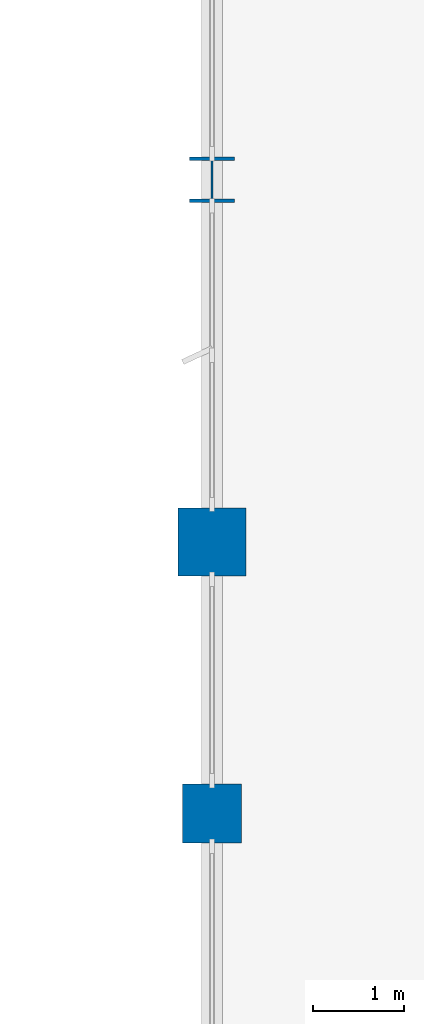
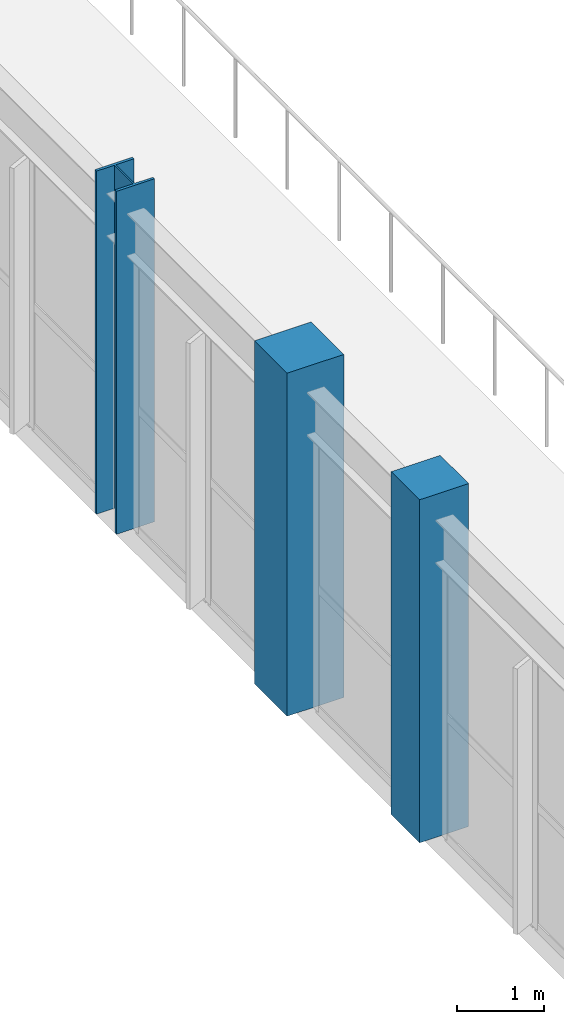
# One storey, part 15 of 226: 3 columns.
"""IFC4 building model written with IfcOpenShell, lengths in metres."""

import ifcopenshell
import ifcopenshell.guid

model = None  # the IFC model being written
_history = None  # IfcOwnerHistory: only IFC2X3 demands one
_inside = {}  # id of a spatial element -> (the spatial element, [elements in it])
_under = {}  # id of a project, library or spatial element -> (it, [spatial elements below it])
_declared = {}  # id of a project -> (the project, [libraries it declares])
_typed = {}  # id of a type object -> (the type object, [elements of that type])
_made_of = {}  # id of a material, layer set ... -> (it, [elements and type objects made of it])


def new_model(schema):
    """Start an empty IFC model of exactly this schema.

    Asked for "IFC4X3", IfcOpenShell would pick the latest addendum, in which some entities
    have other attributes; the version numbers below select the first issue.
    IFC2X3 requires an IfcOwnerHistory on every rooted entity: one is made here for all.
    """
    global model, _history
    if schema == "IFC4X3":
        model = ifcopenshell.file(schema_version=(4, 3, 0, 0))
    else:
        model = ifcopenshell.file(schema=schema)
    _inside.clear()
    _under.clear()
    _declared.clear()
    _typed.clear()
    _made_of.clear()
    _history = None
    if model.schema == "IFC2X3":
        org = make("IfcOrganization", Name="unknown")
        user = make(
            "IfcPersonAndOrganization",
            ThePerson=make("IfcPerson", FamilyName="unknown"),
            TheOrganization=org,
        )
        app = make(
            "IfcApplication",
            ApplicationDeveloper=org,
            Version="unknown",
            ApplicationFullName="unknown",
            ApplicationIdentifier="unknown",
        )
        _history = make(
            "IfcOwnerHistory",
            OwningUser=user,
            OwningApplication=app,
            ChangeAction="ADDED",
            CreationDate=0,
        )
    return model


def make(cls, **values):
    """One entity of the class cls with the attributes given. An attribute that is None is left unset."""
    return model.create_entity(
        cls, **{name: value for name, value in values.items() if value is not None}
    )


def rooted(cls, **values):
    """An entity with a GlobalId (a new one), such as an element, a storey or a relation."""
    return make(cls, GlobalId=ifcopenshell.guid.new(), OwnerHistory=_history, **values)


def si_unit(unit_type, name, prefix=None):
    """IfcSIUnit, for example si_unit("LENGTHUNIT", "METRE", prefix="MILLI")."""
    return make("IfcSIUnit", UnitType=unit_type, Prefix=prefix, Name=name)


def assignment(units):
    """IfcUnitAssignment: the units of a project."""
    return None if units is None else make("IfcUnitAssignment", Units=units)


def point(xyz):
    """IfcCartesianPoint."""
    return None if xyz is None else make("IfcCartesianPoint", Coordinates=xyz)


def direction(xyz):
    """IfcDirection."""
    return None if xyz is None else make("IfcDirection", DirectionRatios=xyz)


def frame(location, z_axis=None, x_axis=None):
    """IfcAxis2Placement3D, a coordinate frame: its origin and axes. An axis left out is left unset."""
    return make(
        "IfcAxis2Placement3D",
        Location=point(location),
        Axis=direction(z_axis),
        RefDirection=direction(x_axis),
    )


def frame_2d(location, x_axis=None):
    """IfcAxis2Placement2D, a coordinate frame in the plane: its origin and x axis."""
    return make(
        "IfcAxis2Placement2D", Location=point(location), RefDirection=direction(x_axis)
    )


def origin():
    """The frame at (0, 0, 0) with its axes left unset."""
    return frame((0.0, 0.0, 0.0))


def origin_2d():
    """The frame at (0, 0) in the plane with its x axis left unset."""
    return frame_2d((0.0, 0.0))


def place(relative_to, where):
    """IfcLocalPlacement: puts the frame where relative to a parent placement (None: the world)."""
    return make(
        "IfcLocalPlacement", PlacementRelTo=relative_to, RelativePlacement=where
    )


def context(
    kind, dimensions, precision=None, world=None, true_north=None, identifier=None
):
    """IfcGeometricRepresentationContext, for example the 3D "Model" context."""
    return make(
        "IfcGeometricRepresentationContext",
        ContextIdentifier=identifier,
        ContextType=kind,
        CoordinateSpaceDimension=dimensions,
        Precision=precision,
        WorldCoordinateSystem=world,
        TrueNorth=true_north,
    )


def subcontext(parent, identifier, kind, view, scale=None):
    """IfcGeometricRepresentationSubContext, for example "Body" below "Model"."""
    return make(
        "IfcGeometricRepresentationSubContext",
        ContextIdentifier=identifier,
        ContextType=kind,
        ParentContext=parent,
        TargetScale=scale,
        TargetView=view,
    )


def project(units=None, contexts=None):
    """IfcProject with its units and contexts."""
    return rooted(
        "IfcProject",
        Name="project",
        RepresentationContexts=contexts,
        UnitsInContext=assignment(units),
    )


def spatial(cls, under=None, at=None, **own):
    """A site, building, storey or space (cls), placed at a placement, below another one or the project."""
    s = rooted(cls, ObjectPlacement=at, **own)
    if under is not None:
        _under.setdefault(under.id(), (under, []))[1].append(s)
    return s


def profile(cls, at=None, kind="AREA", **sizes):
    """A parametric profile (cls). Its sizes go by their IFC names, for example OverallWidth=200.0."""
    return make(cls, ProfileType=kind, Position=at, **sizes)


def rectangle(**sizes):
    """IfcRectangleProfileDef."""
    return profile("IfcRectangleProfileDef", **sizes)


def i_section(**sizes):
    """IfcIShapeProfileDef."""
    return profile("IfcIShapeProfileDef", **sizes)


def extrude(swept, where, along, depth):
    """IfcExtrudedAreaSolid: the profile swept, set in the frame where, extruded along a direction by depth."""
    return make(
        "IfcExtrudedAreaSolid",
        SweptArea=swept,
        Position=where,
        ExtrudedDirection=direction(along),
        Depth=depth,
    )


def shape(context_of_items, identifier, shape_type, items):
    """IfcShapeRepresentation: the items that make up one representation, for example the "Body"."""
    return make(
        "IfcShapeRepresentation",
        ContextOfItems=context_of_items,
        RepresentationIdentifier=identifier,
        RepresentationType=shape_type,
        Items=items,
    )


def material(Name=None, Category=None):
    """IfcMaterial."""
    return make("IfcMaterial", Name=Name, Category=Category)


def material_profile(
    of_material, cross_section, Name=None, Category=None, Priority=None
):
    """IfcMaterialProfile: a cross section and its material."""
    return make(
        "IfcMaterialProfile",
        Name=Name,
        Material=of_material,
        Profile=cross_section,
        Priority=Priority,
        Category=Category,
    )


def profile_set(profiles, Name=None, composite=None):
    """IfcMaterialProfileSet."""
    return make(
        "IfcMaterialProfileSet",
        Name=Name,
        MaterialProfiles=profiles,
        CompositeProfile=composite,
    )


def made_of(thing, what):
    """Note that an element or type object is made of a material, layer set ...; save() writes the relation."""
    if what is not None:
        _made_of.setdefault(what.id(), (what, []))[1].append(thing)
    return thing


def type_object(cls, material=None, **own):
    """A type object (cls), such as IfcWallType, which elements share."""
    return made_of(rooted(cls, **own), material)


def element(
    cls,
    number,
    at=None,
    inside=None,
    cuts=None,
    type_object=None,
    material=None,
    context=None,
    identifier="Body",
    shape_type=None,
    held_by="IfcProductDefinitionShape",
    body=None,
    shapes=None,
    **own,
):
    """One element of the class cls, such as IfcWall. Its Tag is "e" and its number.

    at: its placement. inside: the storey or other place that contains it. cuts: it is an
    opening in that element (IfcRelVoidsElement). A single representation is given by context,
    identifier, shape_type and body (its items); several are given by shapes. held_by: the class
    of the entity that holds the representations. save() writes the other relations.
    """
    e = rooted(cls, Tag="e%d" % number, ObjectPlacement=at, **own)
    if body is not None:
        shapes = [shape(context, identifier, shape_type, body)]
    if shapes is not None:
        e.Representation = make(held_by, Representations=shapes)
    if inside is not None:
        _inside.setdefault(inside.id(), (inside, []))[1].append(e)
    if cuts is not None:
        rooted(
            "IfcRelVoidsElement", RelatingBuildingElement=cuts, RelatedOpeningElement=e
        )
    if type_object is not None:
        _typed.setdefault(type_object.id(), (type_object, []))[1].append(e)
    return made_of(e, material)


def aggregate(whole, parts):
    """IfcRelAggregates: a whole, such as a stair, and the parts it consists of."""
    return rooted("IfcRelAggregates", RelatingObject=whole, RelatedObjects=parts)


def save(model, path):
    """Write the relations noted so far, then the file.

    IfcRelAggregates (storeys below a building ...), IfcRelContainedInSpatialStructure (elements
    in a storey), IfcRelDefinesByType, IfcRelAssociatesMaterial and IfcRelDeclares: one each for
    every whole, place, type object, material and project.
    """
    for whole, parts in _under.values():
        aggregate(whole, parts)
    for where, things in _inside.values():
        rooted(
            "IfcRelContainedInSpatialStructure",
            RelatedElements=things,
            RelatingStructure=where,
        )
    for kind, things in _typed.values():
        rooted("IfcRelDefinesByType", RelatedObjects=things, RelatingType=kind)
    for what, things in _made_of.values():
        rooted("IfcRelAssociatesMaterial", RelatedObjects=things, RelatingMaterial=what)
    for by, libraries in _declared.values():
        rooted("IfcRelDeclares", RelatingContext=by, RelatedDefinitions=libraries)
    model.write(path)


model = new_model("IFC4")

# Units and contexts
model_context = context("Model", 3, precision=1e-05, world=origin(), true_north=direction((0.0, 1.0)))
body_context = subcontext(model_context, "Body", "Model", "MODEL_VIEW")
ifc_project = project(units=[si_unit("LENGTHUNIT", "METRE"), si_unit("AREAUNIT", "SQUARE_METRE"), si_unit("VOLUMEUNIT", "CUBIC_METRE"), si_unit("PLANEANGLEUNIT", "RADIAN"), si_unit("MASSUNIT", "GRAM", prefix="KILO")], contexts=[model_context])

# Site, building, storey
site_placement = place(None, origin())
site = spatial("IfcSite", under=ifc_project, at=site_placement, CompositionType="ELEMENT")
building_placement = place(site_placement, origin())
building = spatial("IfcBuilding", under=site, at=building_placement, Name="Tarnwether General Hospital", CompositionType="ELEMENT")
storey_placement = place(building_placement, frame((0.0, 0.0, 4.800048828125)))
storey = spatial("IfcBuildingStorey", under=building, at=storey_placement, Name="L01", CompositionType="ELEMENT", Elevation=4.800048828125)

# Columns
ifc_material_1 = material(Name="Steel Grade 350 (350 MPa)", Category="steel")
ifc_material_profile_1 = material_profile(ifc_material_1, i_section(OverallWidth=0.5, OverallDepth=0.5, WebThickness=0.02197265625, FlangeThickness=0.035888671875, at=origin_2d()), Name="500WC380")
ifc_profile_set_1 = profile_set([ifc_material_profile_1], Name="Steel Grade 350 (350 MPa)")
column_type_1 = type_object("IfcColumnType", Name="COL-01", PredefinedType="COLUMN", material=ifc_profile_set_1)
column_1_placement = place(storey_placement, frame((108.0, 61.60009765625, 0.0), z_axis=(0.0, 0.0, 1.0), x_axis=(1.0, 0.0, 0.0)))
element("IfcColumn", 1, at=column_1_placement, inside=storey, type_object=column_type_1, Name="Column COLG-L01-10800_6160", PredefinedType="COLUMN", context=body_context, shape_type="SweptSolid", body=[
    extrude(i_section(OverallWidth=0.5, OverallDepth=0.5, WebThickness=0.02197265625, FlangeThickness=0.035888671875, at=origin_2d()), origin(), (0.0, 0.0, 1.0), 4.800048828125),
])
ifc_material_2 = material(Name="Concrete 50 MPa", Category="concrete")
ifc_material_profile_2 = material_profile(ifc_material_2, rectangle(XDim=0.75, YDim=0.75, at=origin_2d()), Name="RC-COL-750x750")
ifc_profile_set_2 = profile_set([ifc_material_profile_2], Name="Concrete 50 MPa")
column_type_2 = type_object("IfcColumnType", Name="COL-17", PredefinedType="COLUMN", material=ifc_profile_set_2)
column_2_placement = place(storey_placement, frame((108.0, 57.60009765625, 0.0), z_axis=(0.0, 0.0, 1.0), x_axis=(0.0, 1.0, 0.0)))
element("IfcColumn", 2, at=column_2_placement, inside=storey, type_object=column_type_2, Name="Column COLG-L01-10800_5760", PredefinedType="COLUMN", context=body_context, shape_type="SweptSolid", body=[
    extrude(rectangle(XDim=0.75, YDim=0.75, at=origin_2d()), origin(), (0.0, 0.0, 1.0), 4.800048828125),
])
ifc_material_3 = material(Name="Concrete 50 MPa", Category="concrete")
ifc_material_profile_3 = material_profile(ifc_material_3, rectangle(XDim=0.64990234375, YDim=0.64990234375, at=origin_2d()), Name="RC-COL-650x650")
ifc_profile_set_3 = profile_set([ifc_material_profile_3], Name="Concrete 50 MPa")
column_type_3 = type_object("IfcColumnType", Name="COL-35", PredefinedType="COLUMN", material=ifc_profile_set_3)
column_3_placement = place(storey_placement, frame((108.0, 54.60009765625, 0.0), z_axis=(0.0, 0.0, 1.0), x_axis=(1.0, 0.0, 0.0)))
element("IfcColumn", 3, at=column_3_placement, inside=storey, type_object=column_type_3, Name="Column COLG-L01-10800_5460", PredefinedType="COLUMN", context=body_context, shape_type="SweptSolid", body=[
    extrude(rectangle(XDim=0.64990234375, YDim=0.64990234375, at=origin_2d()), origin(), (0.0, 0.0, 1.0), 4.800048828125),
])

save(model, "model.ifc")
